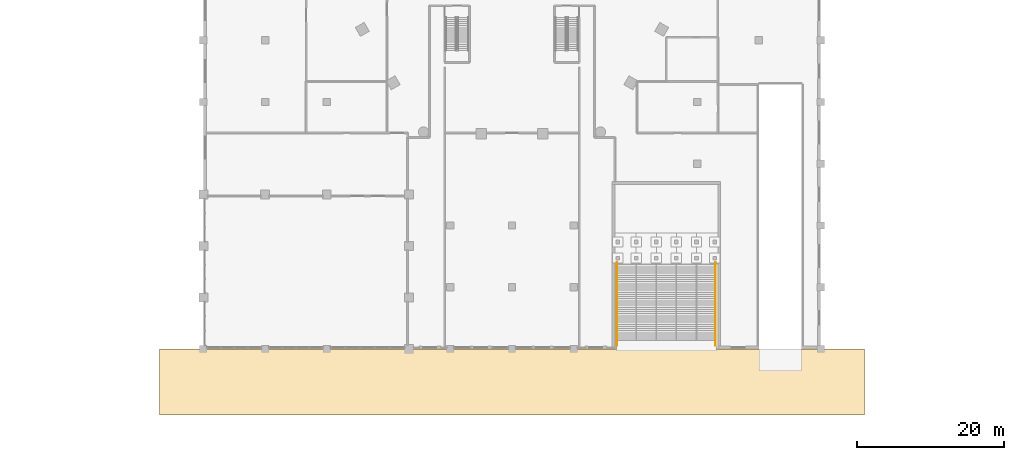
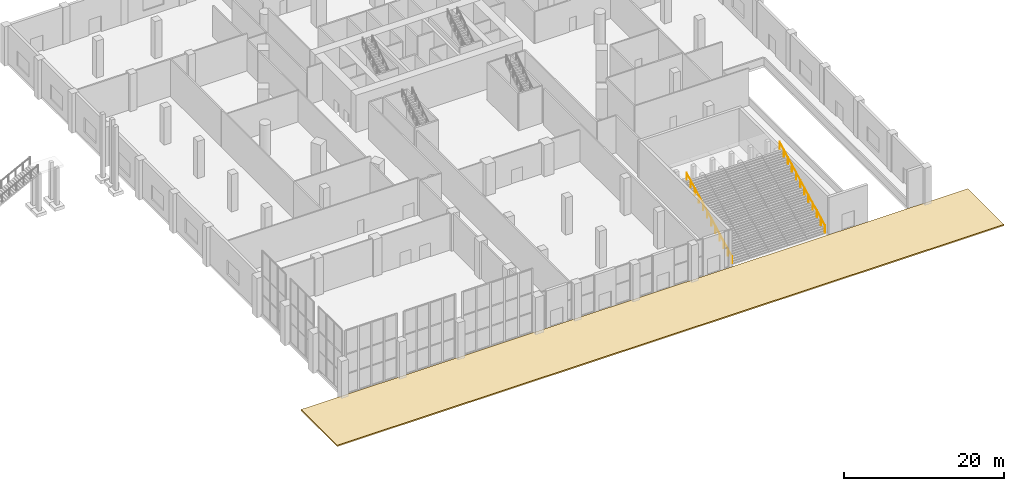
# One storey, part 22 of 25: 2 railings, 1 covering.
"""IFC4 building model written with IfcOpenShell, lengths in metres."""

from ifc_helpers import new_model, si_unit, direction, frame, origin, origin_2d, place, context, subcontext, project, spatial, polyline, circle, outline, extrude, material, layer, layer_set, type_object, element, save


model = new_model("IFC4")

# Units and contexts
model_context = context("Model", 3, precision=1e-05, world=origin(), true_north=direction((0.0, 1.0)))
body_context = subcontext(model_context, "Body", "Model", "MODEL_VIEW")
ifc_project = project(units=[si_unit("LENGTHUNIT", "METRE"), si_unit("AREAUNIT", "SQUARE_METRE"), si_unit("VOLUMEUNIT", "CUBIC_METRE"), si_unit("PLANEANGLEUNIT", "RADIAN"), si_unit("MASSUNIT", "GRAM", prefix="KILO")], contexts=[model_context])

# Site, building, storey
site_placement = place(None, origin())
site = spatial("IfcSite", under=ifc_project, at=site_placement, CompositionType="ELEMENT")
building_placement = place(site_placement, origin())
building = spatial("IfcBuilding", under=site, at=building_placement, Name="Ostrander Bayou Hotel Tower", CompositionType="ELEMENT")
storey_placement = place(building_placement, origin())
storey = spatial("IfcBuildingStorey", under=building, at=storey_placement, Name="L00", CompositionType="ELEMENT", Elevation=0.0)

# Covering
ifc_material_1 = material(Name="Granite paving on bedding", Category="masonry")
ifc_layer = layer(ifc_material_1, 0.199951171875)
ifc_layer_set = layer_set([ifc_layer], Name="CV5 site paving 200 mm")
covering_type = type_object("IfcCoveringType", Name="CV5 site paving 200 mm", PredefinedType="FLOORING", material=ifc_layer_set)
covering_placement = place(storey_placement, frame((0.0, 0.0, -0.199951171875)))
element("IfcCovering", 1, at=covering_placement, inside=storey, type_object=covering_type, Name="PAVING S FORECOURT", PredefinedType="FLOORING", context=body_context, shape_type="SweptSolid", body=[
    extrude(outline(polyline([(48.0, -50.39990234375), (48.0, -59.39990234375), (-48.0, -59.39990234375), (-48.0, -50.39990234375), (33.60009765625, -50.39990234375), (39.39990234375, -50.39990234375), (48.0, -50.39990234375)])), origin(), (0.0, 0.0, 1.0), 0.199951171875),
])

# Railings
ifc_material_2 = material(Name="Stainless steel and clear glass", Category="steel")
railing_type = type_object("IfcRailingType", Name="GR1 guard 1100 mm", PredefinedType="GUARDRAIL", material=ifc_material_2)
railing_1_placement = place(storey_placement, frame((14.300048828125, -49.949951171875, 0.14990234375)))
element("IfcRailing", 2, at=railing_1_placement, inside=storey, type_object=railing_type, Name="GR1 stair guard WA", PredefinedType="GUARDRAIL", context=body_context, shape_type="SweptSolid", body=[
    extrude(circle(Radius=0.02490234375, at=origin_2d()), frame((0.0, 0.0, 1.0751953125), z_axis=(0.0, 0.888215484817, 0.459427091637), x_axis=(-1.0, 0.0, 0.0)), (0.0, 0.0, 1.0), 12.7333984375),
    extrude(circle(Radius=0.02001953125, at=origin_2d()), origin(), (0.0, 0.0, 1.0), 1.050048828125),
    extrude(circle(Radius=0.02001953125, at=origin_2d()), frame((0.0, 1.028076171875, 0.53173828125)), (0.0, 0.0, 1.0), 1.050048828125),
    extrude(circle(Radius=0.02001953125, at=origin_2d()), frame((0.0, 2.056396484375, 1.063720703125)), (0.0, 0.0, 1.0), 1.050048828125),
    extrude(circle(Radius=0.02001953125, at=origin_2d()), frame((0.0, 3.08447265625, 1.595458984375)), (0.0, 0.0, 1.0), 1.050048828125),
    extrude(circle(Radius=0.02001953125, at=origin_2d()), frame((0.0, 4.11279296875, 2.127197265625)), (0.0, 0.0, 1.0), 1.050048828125),
    extrude(circle(Radius=0.02001953125, at=origin_2d()), frame((0.0, 5.140869140625, 2.6591796875)), (0.0, 0.0, 1.0), 1.050048828125),
    extrude(circle(Radius=0.02001953125, at=origin_2d()), frame((0.0, 6.169189453125, 3.19091796875)), (0.0, 0.0, 1.0), 1.050048828125),
    extrude(circle(Radius=0.02001953125, at=origin_2d()), frame((0.0, 7.197265625, 3.722900390625)), (0.0, 0.0, 1.0), 1.050048828125),
    extrude(circle(Radius=0.02001953125, at=origin_2d()), frame((0.0, 8.2255859375, 4.254638671875)), (0.0, 0.0, 1.0), 1.050048828125),
    extrude(circle(Radius=0.02001953125, at=origin_2d()), frame((0.0, 9.253662109375, 4.786376953125)), (0.0, 0.0, 1.0), 1.050048828125),
    extrude(circle(Radius=0.02001953125, at=origin_2d()), frame((0.0, 10.281982421875, 5.318359375)), (0.0, 0.0, 1.0), 1.050048828125),
    extrude(circle(Radius=0.02001953125, at=origin_2d()), frame((0.0, 11.31005859375, 5.85009765625)), (0.0, 0.0, 1.0), 1.050048828125),
])
railing_2_placement = place(storey_placement, frame((27.699951171875, -49.949951171875, 0.14990234375)))
element("IfcRailing", 3, at=railing_2_placement, inside=storey, type_object=railing_type, Name="GR1 stair guard EA", PredefinedType="GUARDRAIL", context=body_context, shape_type="SweptSolid", body=[
    extrude(circle(Radius=0.02490234375, at=origin_2d()), frame((0.0, 0.0, 1.0751953125), z_axis=(0.0, 0.888215484817, 0.459427091637), x_axis=(-1.0, 0.0, 0.0)), (0.0, 0.0, 1.0), 12.7333984375),
    extrude(circle(Radius=0.02001953125, at=origin_2d()), origin(), (0.0, 0.0, 1.0), 1.050048828125),
    extrude(circle(Radius=0.02001953125, at=origin_2d()), frame((0.0, 1.028076171875, 0.53173828125)), (0.0, 0.0, 1.0), 1.050048828125),
    extrude(circle(Radius=0.02001953125, at=origin_2d()), frame((0.0, 2.056396484375, 1.063720703125)), (0.0, 0.0, 1.0), 1.050048828125),
    extrude(circle(Radius=0.02001953125, at=origin_2d()), frame((0.0, 3.08447265625, 1.595458984375)), (0.0, 0.0, 1.0), 1.050048828125),
    extrude(circle(Radius=0.02001953125, at=origin_2d()), frame((0.0, 4.11279296875, 2.127197265625)), (0.0, 0.0, 1.0), 1.050048828125),
    extrude(circle(Radius=0.02001953125, at=origin_2d()), frame((0.0, 5.140869140625, 2.6591796875)), (0.0, 0.0, 1.0), 1.050048828125),
    extrude(circle(Radius=0.02001953125, at=origin_2d()), frame((0.0, 6.169189453125, 3.19091796875)), (0.0, 0.0, 1.0), 1.050048828125),
    extrude(circle(Radius=0.02001953125, at=origin_2d()), frame((0.0, 7.197265625, 3.722900390625)), (0.0, 0.0, 1.0), 1.050048828125),
    extrude(circle(Radius=0.02001953125, at=origin_2d()), frame((0.0, 8.2255859375, 4.254638671875)), (0.0, 0.0, 1.0), 1.050048828125),
    extrude(circle(Radius=0.02001953125, at=origin_2d()), frame((0.0, 9.253662109375, 4.786376953125)), (0.0, 0.0, 1.0), 1.050048828125),
    extrude(circle(Radius=0.02001953125, at=origin_2d()), frame((0.0, 10.281982421875, 5.318359375)), (0.0, 0.0, 1.0), 1.050048828125),
    extrude(circle(Radius=0.02001953125, at=origin_2d()), frame((0.0, 11.31005859375, 5.85009765625)), (0.0, 0.0, 1.0), 1.050048828125),
])

save(model, "model.ifc")
